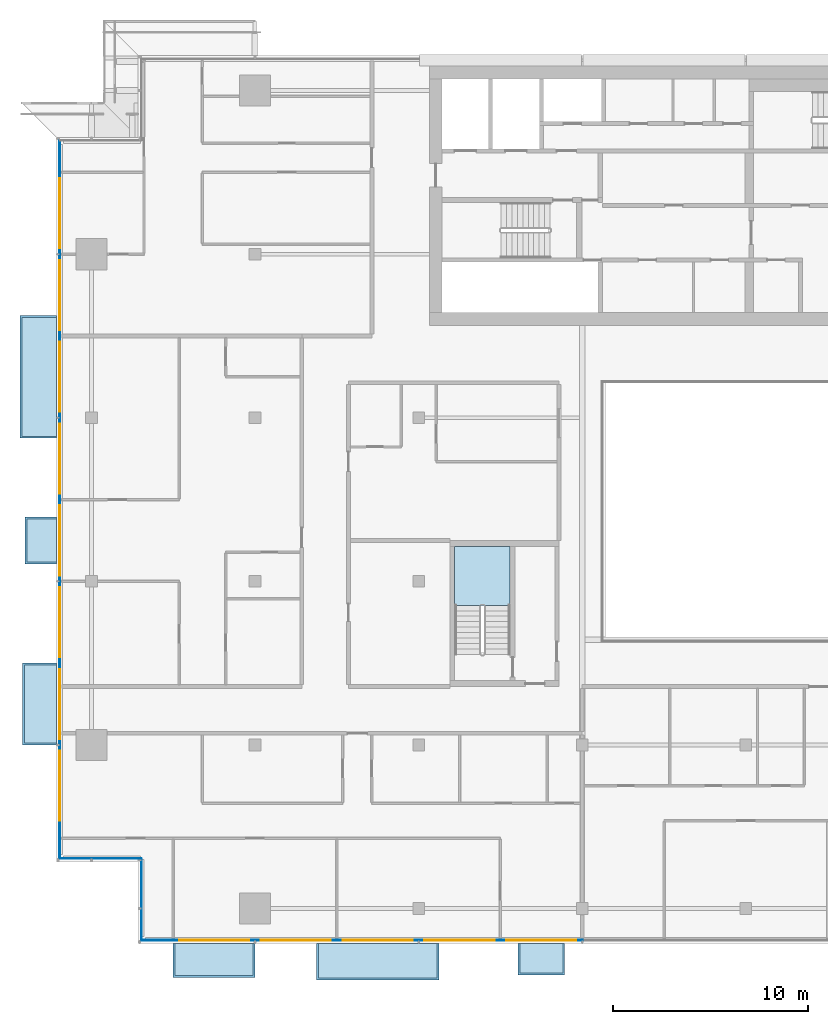
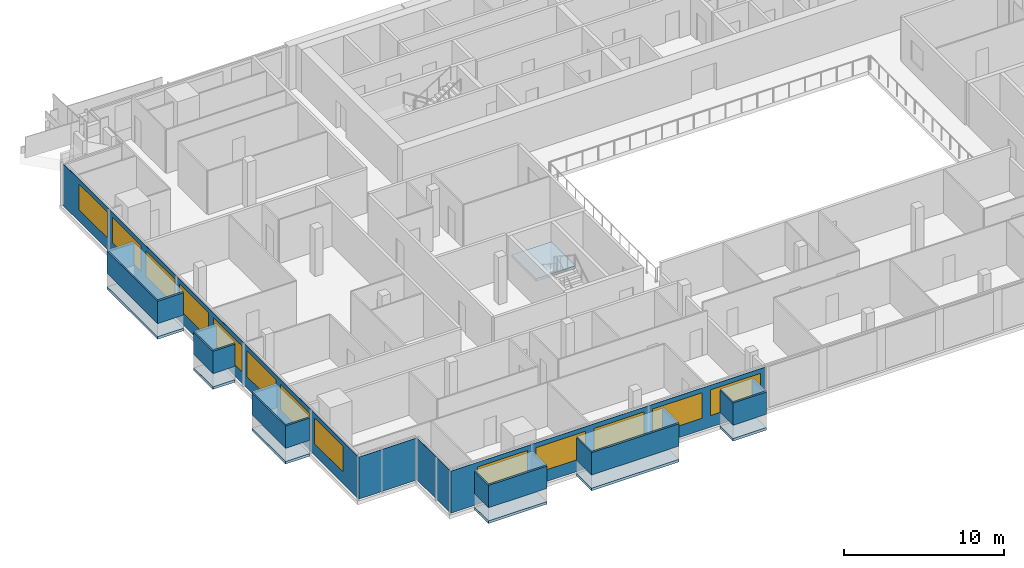
# One storey, part 14 of 30: 16 plates, 13 windows, 7 slabs, 13 openings, 5 elements without a shape of their own.
"""IFC4 building model written with IfcOpenShell, lengths in metres."""

from ifc_helpers import new_model, si_unit, direction, frame, frame_2d, origin, place, context, subcontext, project, spatial, polyline, rectangle, outline, extrude, material, layer, layer_set, type_object, element, fill, aggregate, save


model = new_model("IFC4")

# Units and contexts
model_context = context("Model", 3, precision=1e-05, world=origin(), true_north=direction((0.0, 1.0)))
body_context = subcontext(model_context, "Body", "Model", "MODEL_VIEW")
ifc_project = project(units=[si_unit("LENGTHUNIT", "METRE"), si_unit("AREAUNIT", "SQUARE_METRE"), si_unit("VOLUMEUNIT", "CUBIC_METRE"), si_unit("PLANEANGLEUNIT", "RADIAN"), si_unit("MASSUNIT", "GRAM", prefix="KILO")], contexts=[model_context])

# Site, building, storey
site_placement = place(None, origin())
site = spatial("IfcSite", under=ifc_project, at=site_placement, CompositionType="ELEMENT")
building_placement = place(site_placement, origin())
building = spatial("IfcBuilding", under=site, at=building_placement, Name="Saffron Gate Tower", CompositionType="ELEMENT")
storey_placement = place(building_placement, frame((0.0, 0.0, 216.300048828125)))
storey = spatial("IfcBuildingStorey", under=building, at=storey_placement, Name="L52", CompositionType="ELEMENT", Elevation=216.300048828125)

# Curtain wall, plate, openings, windows
ifc_material_1 = material(Name="Aluminium, bronze anodised", Category="aluminium")
curtain_wall_type_1 = type_object("IfcCurtainWallType", Name="CWS1 curtain wall front facade", PredefinedType="NOTDEFINED", material=ifc_material_1)
curtain_wall_1_placement = place(storey_placement, origin())
curtain_wall_1 = element("IfcCurtainWall", 1, at=curtain_wall_1_placement, inside=storey, type_object=curtain_wall_type_1, Name="CWS1 run 1", PredefinedType="NOTDEFINED")
ifc_material_2 = material(Name="Fritted bronze-tinted laminated glass", Category="glass")
ifc_layer_1 = layer(ifc_material_2, 0.028076171875)
ifc_layer_set_1 = layer_set([ifc_layer_1], Name="CWS1 fixed glass")
plate_type_1 = type_object("IfcPlateType", Name="CWS1 fixed glass", PredefinedType="CURTAIN_PANEL", material=ifc_layer_set_1)
plate_1_placement = place(storey_placement, frame((52.387939453125, 30.174072265625, 0.0), z_axis=(0.0, 0.0, 1.0), x_axis=(1.0, 0.0, 0.0)))
plate_1 = element("IfcPlate", 2, at=plate_1_placement, type_object=plate_type_1, Name="CWS1 glass panel", PredefinedType="CURTAIN_PANEL", context=body_context, shape_type="SweptSolid", body=[
    extrude(rectangle(XDim=22.64208984375, YDim=0.028076171875, at=frame_2d((11.321044921875, 0.0))), origin(), (0.0, 0.0, 1.0), 3.199951171875),
])
opening_1_placement = place(plate_1_placement, frame((1.912109375, 0.0, 0.89990234375)))
opening_1 = element("IfcOpeningElement", 3, at=opening_1_placement, cuts=plate_1, Name="Opening W1", PredefinedType="OPENING", context=body_context, shape_type="SweptSolid", body=[
    extrude(rectangle(XDim=3.60009765625, YDim=1.949951171875, at=frame_2d((1.800048828125, 0.97509765625))), frame((0.0, 0.02392578125, 0.0), z_axis=(0.0, -1.0, 0.0), x_axis=(1.0, 0.0, 0.0)), (0.0, 0.0, 1.0), 0.048095703125),
])
opening_2_placement = place(plate_1_placement, frame((6.112060546875, 0.0, 0.89990234375)))
opening_2 = element("IfcOpeningElement", 4, at=opening_2_placement, cuts=plate_1, Name="Opening W1", PredefinedType="OPENING", context=body_context, shape_type="SweptSolid", body=[
    extrude(rectangle(XDim=3.60009765625, YDim=1.949951171875, at=frame_2d((1.800048828125, 0.97509765625))), frame((0.0, 0.02392578125, 0.0), z_axis=(0.0, -1.0, 0.0), x_axis=(1.0, 0.0, 0.0)), (0.0, 0.0, 1.0), 0.048095703125),
])
opening_3_placement = place(plate_1_placement, frame((10.31201171875, 0.0, 0.89990234375)))
opening_3 = element("IfcOpeningElement", 5, at=opening_3_placement, cuts=plate_1, Name="Opening W1", PredefinedType="OPENING", context=body_context, shape_type="SweptSolid", body=[
    extrude(rectangle(XDim=3.60009765625, YDim=1.949951171875, at=frame_2d((1.800048828125, 0.97509765625))), frame((0.0, 0.02392578125, 0.0), z_axis=(0.0, -1.0, 0.0), x_axis=(1.0, 0.0, 0.0)), (0.0, 0.0, 1.0), 0.048095703125),
])
opening_4_placement = place(plate_1_placement, frame((14.511962890625, 0.0, 0.89990234375)))
opening_4 = element("IfcOpeningElement", 6, at=opening_4_placement, cuts=plate_1, Name="Opening W1", PredefinedType="OPENING", context=body_context, shape_type="SweptSolid", body=[
    extrude(rectangle(XDim=3.60009765625, YDim=1.949951171875, at=frame_2d((1.800048828125, 0.97509765625))), frame((0.0, 0.02392578125, 0.0), z_axis=(0.0, -1.0, 0.0), x_axis=(1.0, 0.0, 0.0)), (0.0, 0.0, 1.0), 0.048095703125),
])
opening_5_placement = place(plate_1_placement, frame((18.7119140625, 0.0, 0.89990234375)))
opening_5 = element("IfcOpeningElement", 7, at=opening_5_placement, cuts=plate_1, Name="Opening W1", PredefinedType="OPENING", context=body_context, shape_type="SweptSolid", body=[
    extrude(rectangle(XDim=3.60009765625, YDim=1.949951171875, at=frame_2d((1.800048828125, 0.97509765625))), frame((0.0, 0.02392578125, 0.0), z_axis=(0.0, -1.0, 0.0), x_axis=(1.0, 0.0, 0.0)), (0.0, 0.0, 1.0), 0.048095703125),
])
ifc_material_3 = material(Name="Fritted bronze-tinted laminated glass in bronze frame", Category="glass")
ifc_layer_2 = layer(ifc_material_3, 0.06005859375)
ifc_layer_set_2 = layer_set([ifc_layer_2], Name="W1 operable panel 3600x1950")
window_type = type_object("IfcWindowType", Name="W1 operable panel 3600x1950", PartitioningType="DOUBLE_PANEL_HORIZONTAL", PredefinedType="WINDOW", material=ifc_layer_set_2)
window_1_placement = place(opening_1_placement, origin())
window_1 = element("IfcWindow", 8, at=window_1_placement, type_object=window_type, Name="W1 operable panel", OverallHeight=1.949951171875, OverallWidth=3.60009765625, PartitioningType="SINGLE_PANEL", PredefinedType="WINDOW", context=body_context, shape_type="SweptSolid", body=[
    extrude(rectangle(XDim=3.60009765625, YDim=1.949951171875, at=frame_2d((1.800048828125, 0.97509765625))), frame((0.0, 0.013671875, 0.0), z_axis=(0.0, -1.0, 0.0), x_axis=(1.0, 0.0, 0.0)), (0.0, 0.0, 1.0), 0.027587890625),
])
fill(opening_1, window_1)
window_2_placement = place(opening_2_placement, origin())
window_2 = element("IfcWindow", 9, at=window_2_placement, type_object=window_type, Name="W1 operable panel", OverallHeight=1.949951171875, OverallWidth=3.60009765625, PartitioningType="SINGLE_PANEL", PredefinedType="WINDOW", context=body_context, shape_type="SweptSolid", body=[
    extrude(rectangle(XDim=3.60009765625, YDim=1.949951171875, at=frame_2d((1.800048828125, 0.97509765625))), frame((0.0, 0.013671875, 0.0), z_axis=(0.0, -1.0, 0.0), x_axis=(1.0, 0.0, 0.0)), (0.0, 0.0, 1.0), 0.027587890625),
])
fill(opening_2, window_2)
window_3_placement = place(opening_3_placement, origin())
window_3 = element("IfcWindow", 10, at=window_3_placement, type_object=window_type, Name="W1 operable panel", OverallHeight=1.949951171875, OverallWidth=3.60009765625, PartitioningType="SINGLE_PANEL", PredefinedType="WINDOW", context=body_context, shape_type="SweptSolid", body=[
    extrude(rectangle(XDim=3.60009765625, YDim=1.949951171875, at=frame_2d((1.800048828125, 0.97509765625))), frame((0.0, 0.013671875, 0.0), z_axis=(0.0, -1.0, 0.0), x_axis=(1.0, 0.0, 0.0)), (0.0, 0.0, 1.0), 0.027587890625),
])
fill(opening_3, window_3)
window_4_placement = place(opening_4_placement, origin())
window_4 = element("IfcWindow", 11, at=window_4_placement, type_object=window_type, Name="W1 operable panel", OverallHeight=1.949951171875, OverallWidth=3.60009765625, PartitioningType="SINGLE_PANEL", PredefinedType="WINDOW", context=body_context, shape_type="SweptSolid", body=[
    extrude(rectangle(XDim=3.60009765625, YDim=1.949951171875, at=frame_2d((1.800048828125, 0.97509765625))), frame((0.0, 0.013671875, 0.0), z_axis=(0.0, -1.0, 0.0), x_axis=(1.0, 0.0, 0.0)), (0.0, 0.0, 1.0), 0.027587890625),
])
fill(opening_4, window_4)
window_5_placement = place(opening_5_placement, origin())
window_5 = element("IfcWindow", 12, at=window_5_placement, type_object=window_type, Name="W1 operable panel", OverallHeight=1.949951171875, OverallWidth=3.60009765625, PartitioningType="SINGLE_PANEL", PredefinedType="WINDOW", context=body_context, shape_type="SweptSolid", body=[
    extrude(rectangle(XDim=3.60009765625, YDim=1.949951171875, at=frame_2d((1.800048828125, 0.97509765625))), frame((0.0, 0.013671875, 0.0), z_axis=(0.0, -1.0, 0.0), x_axis=(1.0, 0.0, 0.0)), (0.0, 0.0, 1.0), 0.027587890625),
])
fill(opening_5, window_5)
aggregate(curtain_wall_1, [plate_1, window_1, window_2, window_3, window_4, window_5])

curtain_wall_type_2 = type_object("IfcCurtainWallType", Name="CWS2 curtain wall side facades", PredefinedType="NOTDEFINED", material=ifc_material_1)
curtain_wall_2_placement = place(storey_placement, origin())
curtain_wall_2 = element("IfcCurtainWall", 13, at=curtain_wall_2_placement, inside=storey, type_object=curtain_wall_type_2, Name="CWS2 run 10", PredefinedType="NOTDEFINED")
ifc_layer_3 = layer(ifc_material_2, 0.028076171875)
ifc_layer_set_3 = layer_set([ifc_layer_3], Name="CWS2 fixed glass")
plate_type_2 = type_object("IfcPlateType", Name="CWS2 fixed glass", PredefinedType="CURTAIN_PANEL", material=ifc_layer_set_3)
plate_2_placement = place(storey_placement, frame((48.174072265625, 71.2119140625, 0.0), z_axis=(0.0, 0.0, 1.0), x_axis=(0.0, -1.0, 0.0)))
plate_2 = element("IfcPlate", 14, at=plate_2_placement, type_object=plate_type_2, Name="CWS2 glass panel", PredefinedType="CURTAIN_PANEL", context=body_context, shape_type="SweptSolid", body=[
    extrude(rectangle(XDim=36.823974609375, YDim=0.028076171875, at=frame_2d((18.412109375, 0.0))), origin(), (0.0, 0.0, 1.0), 3.199951171875),
])
opening_6_placement = place(plate_2_placement, frame((1.912109375, 0.0, 0.89990234375)))
opening_6 = element("IfcOpeningElement", 15, at=opening_6_placement, cuts=plate_2, Name="Opening W1", PredefinedType="OPENING", context=body_context, shape_type="SweptSolid", body=[
    extrude(rectangle(XDim=3.60009765625, YDim=1.949951171875, at=frame_2d((1.800048828125, 0.97509765625))), frame((0.0, 0.02392578125, 0.0), z_axis=(0.0, -1.0, 0.0), x_axis=(1.0, 0.0, 0.0)), (0.0, 0.0, 1.0), 0.048095703125),
])
opening_7_placement = place(plate_2_placement, frame((6.112060546875, 0.0, 0.89990234375)))
opening_7 = element("IfcOpeningElement", 16, at=opening_7_placement, cuts=plate_2, Name="Opening W1", PredefinedType="OPENING", context=body_context, shape_type="SweptSolid", body=[
    extrude(rectangle(XDim=3.60009765625, YDim=1.949951171875, at=frame_2d((1.800048828125, 0.97509765625))), frame((0.0, 0.02392578125, 0.0), z_axis=(0.0, -1.0, 0.0), x_axis=(1.0, 0.0, 0.0)), (0.0, 0.0, 1.0), 0.048095703125),
])
opening_8_placement = place(plate_2_placement, frame((10.31201171875, 0.0, 0.89990234375)))
opening_8 = element("IfcOpeningElement", 17, at=opening_8_placement, cuts=plate_2, Name="Opening W1", PredefinedType="OPENING", context=body_context, shape_type="SweptSolid", body=[
    extrude(rectangle(XDim=3.60009765625, YDim=1.949951171875, at=frame_2d((1.800048828125, 0.97509765625))), frame((0.0, 0.02392578125, 0.0), z_axis=(0.0, -1.0, 0.0), x_axis=(1.0, 0.0, 0.0)), (0.0, 0.0, 1.0), 0.048095703125),
])
opening_9_placement = place(plate_2_placement, frame((14.511962890625, 0.0, 0.89990234375)))
opening_9 = element("IfcOpeningElement", 18, at=opening_9_placement, cuts=plate_2, Name="Opening W1", PredefinedType="OPENING", context=body_context, shape_type="SweptSolid", body=[
    extrude(rectangle(XDim=3.60009765625, YDim=1.949951171875, at=frame_2d((1.800048828125, 0.97509765625))), frame((0.0, 0.02392578125, 0.0), z_axis=(0.0, -1.0, 0.0), x_axis=(1.0, 0.0, 0.0)), (0.0, 0.0, 1.0), 0.048095703125),
])
opening_10_placement = place(plate_2_placement, frame((18.7119140625, 0.0, 0.89990234375)))
opening_10 = element("IfcOpeningElement", 19, at=opening_10_placement, cuts=plate_2, Name="Opening W1", PredefinedType="OPENING", context=body_context, shape_type="SweptSolid", body=[
    extrude(rectangle(XDim=3.60009765625, YDim=1.949951171875, at=frame_2d((1.800048828125, 0.97509765625))), frame((0.0, 0.02392578125, 0.0), z_axis=(0.0, -1.0, 0.0), x_axis=(1.0, 0.0, 0.0)), (0.0, 0.0, 1.0), 0.048095703125),
])
opening_11_placement = place(plate_2_placement, frame((22.912109375, 0.0, 0.89990234375)))
opening_11 = element("IfcOpeningElement", 20, at=opening_11_placement, cuts=plate_2, Name="Opening W1", PredefinedType="OPENING", context=body_context, shape_type="SweptSolid", body=[
    extrude(rectangle(XDim=3.60009765625, YDim=1.949951171875, at=frame_2d((1.800048828125, 0.97509765625))), frame((0.0, 0.02392578125, 0.0), z_axis=(0.0, -1.0, 0.0), x_axis=(1.0, 0.0, 0.0)), (0.0, 0.0, 1.0), 0.048095703125),
])
opening_12_placement = place(plate_2_placement, frame((27.112060546875, 0.0, 0.89990234375)))
opening_12 = element("IfcOpeningElement", 21, at=opening_12_placement, cuts=plate_2, Name="Opening W1", PredefinedType="OPENING", context=body_context, shape_type="SweptSolid", body=[
    extrude(rectangle(XDim=3.60009765625, YDim=1.949951171875, at=frame_2d((1.800048828125, 0.97509765625))), frame((0.0, 0.02392578125, 0.0), z_axis=(0.0, -1.0, 0.0), x_axis=(1.0, 0.0, 0.0)), (0.0, 0.0, 1.0), 0.048095703125),
])
opening_13_placement = place(plate_2_placement, frame((31.31201171875, 0.0, 0.89990234375)))
opening_13 = element("IfcOpeningElement", 22, at=opening_13_placement, cuts=plate_2, Name="Opening W1", PredefinedType="OPENING", context=body_context, shape_type="SweptSolid", body=[
    extrude(rectangle(XDim=3.60009765625, YDim=1.949951171875, at=frame_2d((1.800048828125, 0.97509765625))), frame((0.0, 0.02392578125, 0.0), z_axis=(0.0, -1.0, 0.0), x_axis=(1.0, 0.0, 0.0)), (0.0, 0.0, 1.0), 0.048095703125),
])
window_6_placement = place(opening_6_placement, origin())
window_6 = element("IfcWindow", 23, at=window_6_placement, type_object=window_type, Name="W1 operable panel", OverallHeight=1.949951171875, OverallWidth=3.60009765625, PartitioningType="SINGLE_PANEL", PredefinedType="WINDOW", context=body_context, shape_type="SweptSolid", body=[
    extrude(rectangle(XDim=3.60009765625, YDim=1.949951171875, at=frame_2d((1.800048828125, 0.97509765625))), frame((0.0, 0.013671875, 0.0), z_axis=(0.0, -1.0, 0.0), x_axis=(1.0, 0.0, 0.0)), (0.0, 0.0, 1.0), 0.027587890625),
])
fill(opening_6, window_6)
window_7_placement = place(opening_7_placement, origin())
window_7 = element("IfcWindow", 24, at=window_7_placement, type_object=window_type, Name="W1 operable panel", OverallHeight=1.949951171875, OverallWidth=3.60009765625, PartitioningType="SINGLE_PANEL", PredefinedType="WINDOW", context=body_context, shape_type="SweptSolid", body=[
    extrude(rectangle(XDim=3.60009765625, YDim=1.949951171875, at=frame_2d((1.800048828125, 0.97509765625))), frame((0.0, 0.013671875, 0.0), z_axis=(0.0, -1.0, 0.0), x_axis=(1.0, 0.0, 0.0)), (0.0, 0.0, 1.0), 0.027587890625),
])
fill(opening_7, window_7)
window_8_placement = place(opening_8_placement, origin())
window_8 = element("IfcWindow", 25, at=window_8_placement, type_object=window_type, Name="W1 operable panel", OverallHeight=1.949951171875, OverallWidth=3.60009765625, PartitioningType="SINGLE_PANEL", PredefinedType="WINDOW", context=body_context, shape_type="SweptSolid", body=[
    extrude(rectangle(XDim=3.60009765625, YDim=1.949951171875, at=frame_2d((1.800048828125, 0.97509765625))), frame((0.0, 0.013671875, 0.0), z_axis=(0.0, -1.0, 0.0), x_axis=(1.0, 0.0, 0.0)), (0.0, 0.0, 1.0), 0.027587890625),
])
fill(opening_8, window_8)
window_9_placement = place(opening_9_placement, origin())
window_9 = element("IfcWindow", 26, at=window_9_placement, type_object=window_type, Name="W1 operable panel", OverallHeight=1.949951171875, OverallWidth=3.60009765625, PartitioningType="SINGLE_PANEL", PredefinedType="WINDOW", context=body_context, shape_type="SweptSolid", body=[
    extrude(rectangle(XDim=3.60009765625, YDim=1.949951171875, at=frame_2d((1.800048828125, 0.97509765625))), frame((0.0, 0.013671875, 0.0), z_axis=(0.0, -1.0, 0.0), x_axis=(1.0, 0.0, 0.0)), (0.0, 0.0, 1.0), 0.027587890625),
])
fill(opening_9, window_9)
window_10_placement = place(opening_10_placement, origin())
window_10 = element("IfcWindow", 27, at=window_10_placement, type_object=window_type, Name="W1 operable panel", OverallHeight=1.949951171875, OverallWidth=3.60009765625, PartitioningType="SINGLE_PANEL", PredefinedType="WINDOW", context=body_context, shape_type="SweptSolid", body=[
    extrude(rectangle(XDim=3.60009765625, YDim=1.949951171875, at=frame_2d((1.800048828125, 0.97509765625))), frame((0.0, 0.013671875, 0.0), z_axis=(0.0, -1.0, 0.0), x_axis=(1.0, 0.0, 0.0)), (0.0, 0.0, 1.0), 0.027587890625),
])
fill(opening_10, window_10)
window_11_placement = place(opening_11_placement, origin())
window_11 = element("IfcWindow", 28, at=window_11_placement, type_object=window_type, Name="W1 operable panel", OverallHeight=1.949951171875, OverallWidth=3.60009765625, PartitioningType="SINGLE_PANEL", PredefinedType="WINDOW", context=body_context, shape_type="SweptSolid", body=[
    extrude(rectangle(XDim=3.60009765625, YDim=1.949951171875, at=frame_2d((1.800048828125, 0.97509765625))), frame((0.0, 0.013671875, 0.0), z_axis=(0.0, -1.0, 0.0), x_axis=(1.0, 0.0, 0.0)), (0.0, 0.0, 1.0), 0.027587890625),
])
fill(opening_11, window_11)
window_12_placement = place(opening_12_placement, origin())
window_12 = element("IfcWindow", 29, at=window_12_placement, type_object=window_type, Name="W1 operable panel", OverallHeight=1.949951171875, OverallWidth=3.60009765625, PartitioningType="SINGLE_PANEL", PredefinedType="WINDOW", context=body_context, shape_type="SweptSolid", body=[
    extrude(rectangle(XDim=3.60009765625, YDim=1.949951171875, at=frame_2d((1.800048828125, 0.97509765625))), frame((0.0, 0.013671875, 0.0), z_axis=(0.0, -1.0, 0.0), x_axis=(1.0, 0.0, 0.0)), (0.0, 0.0, 1.0), 0.027587890625),
])
fill(opening_12, window_12)
window_13_placement = place(opening_13_placement, origin())
window_13 = element("IfcWindow", 30, at=window_13_placement, type_object=window_type, Name="W1 operable panel", OverallHeight=1.949951171875, OverallWidth=3.60009765625, PartitioningType="SINGLE_PANEL", PredefinedType="WINDOW", context=body_context, shape_type="SweptSolid", body=[
    extrude(rectangle(XDim=3.60009765625, YDim=1.949951171875, at=frame_2d((1.800048828125, 0.97509765625))), frame((0.0, 0.013671875, 0.0), z_axis=(0.0, -1.0, 0.0), x_axis=(1.0, 0.0, 0.0)), (0.0, 0.0, 1.0), 0.027587890625),
])
fill(opening_13, window_13)
aggregate(curtain_wall_2, [plate_2, window_6, window_7, window_8, window_9, window_10, window_11, window_12, window_13])

# Curtain wall, plate
curtain_wall_type_3 = type_object("IfcCurtainWallType", Name="CWS4 curtain wall corner returns", PredefinedType="NOTDEFINED", material=ifc_material_1)
curtain_wall_3_placement = place(storey_placement, origin())
curtain_wall_3 = element("IfcCurtainWall", 31, at=curtain_wall_3_placement, inside=storey, type_object=curtain_wall_type_3, Name="CWS4 run 11", PredefinedType="NOTDEFINED")
ifc_layer_4 = layer(ifc_material_2, 0.028076171875)
ifc_layer_set_4 = layer_set([ifc_layer_4], Name="CWS4 fixed glass")
plate_type_3 = type_object("IfcPlateType", Name="CWS4 fixed glass", PredefinedType="CURTAIN_PANEL", material=ifc_layer_set_4)
plate_3_placement = place(storey_placement, frame((48.18798828125, 34.3740234375, 0.0), z_axis=(0.0, 0.0, 1.0), x_axis=(1.0, 0.0, 0.0)))
plate_3 = element("IfcPlate", 32, at=plate_3_placement, type_object=plate_type_3, Name="CWS4 glass panel", PredefinedType="CURTAIN_PANEL", context=body_context, shape_type="SweptSolid", body=[
    extrude(rectangle(XDim=4.172119140625, YDim=0.028076171875, at=frame_2d((2.0859375, 0.0))), origin(), (0.0, 0.0, 1.0), 3.199951171875),
])
aggregate(curtain_wall_3, [plate_3])

curtain_wall_4_placement = place(storey_placement, origin())
curtain_wall_4 = element("IfcCurtainWall", 33, at=curtain_wall_4_placement, inside=storey, type_object=curtain_wall_type_3, Name="CWS4 run 12", PredefinedType="NOTDEFINED")
plate_4_placement = place(storey_placement, frame((52.3740234375, 34.360107421875, 0.0), z_axis=(0.0, 0.0, 1.0), x_axis=(0.0, -1.0, 0.0)))
plate_4 = element("IfcPlate", 34, at=plate_4_placement, type_object=plate_type_3, Name="CWS4 glass panel", PredefinedType="CURTAIN_PANEL", context=body_context, shape_type="SweptSolid", body=[
    extrude(rectangle(XDim=4.172119140625, YDim=0.028076171875, at=frame_2d((2.0859375, 0.0))), origin(), (0.0, 0.0, 1.0), 3.199951171875),
])
aggregate(curtain_wall_4, [plate_4])

# Stair, slab
ifc_material_4 = material(Name="Concrete C40", Category="concrete")
stair_type = type_object("IfcStairType", Name="ST7 Stair 1350 wide, 20 risers of 180", PredefinedType="HALF_TURN_STAIR", material=ifc_material_4)
stair_placement = place(storey_placement, origin())
stair = element("IfcStair", 35, at=stair_placement, inside=storey, type_object=stair_type, Name="L52 Exit stair D", PredefinedType="HALF_TURN_STAIR")
ifc_layer_5 = layer(ifc_material_4, 0.199951171875)
ifc_layer_set_5 = layer_set([ifc_layer_5], Name="SL1 Stair landing 200")
slab_type_1 = type_object("IfcSlabType", Name="SL1 Stair landing 200", PredefinedType="LANDING", material=ifc_layer_set_5)
slab_1_placement = place(storey_placement, frame((0.0, 0.0, 1.599853515625)))
slab_1 = element("IfcSlab", 36, at=slab_1_placement, type_object=slab_type_1, Name="ST-D landing 1", PredefinedType="LANDING", context=body_context, shape_type="SweptSolid", body=[
    extrude(outline(polyline([(71.300048828125, 47.3701171875), (71.300048828125, 50.39990234375), (68.449951171875, 50.39990234375), (68.449951171875, 47.3701171875), (71.300048828125, 47.3701171875)])), origin(), (0.0, 0.0, 1.0), 0.2001953125),
])
aggregate(stair, [slab_1])

# Slabs
ifc_material_5 = material(Name="Timber deck on bronze frame", Category="wood")
ifc_layer_6 = layer(ifc_material_5, 0.199951171875)
ifc_layer_set_6 = layer_set([ifc_layer_6], Name="WB1 box floor")
slab_type_2 = type_object("IfcSlabType", Name="WB1 box floor", PredefinedType="FLOOR", material=ifc_layer_set_6)
slab_2_placement = place(storey_placement, frame((0.0, 0.0, -0.199951171875)))
element("IfcSlab", 37, at=slab_2_placement, inside=storey, type_object=slab_type_2, Name="WINDOW BOX floor", PredefinedType="FLOOR", context=body_context, shape_type="SweptSolid", body=[
    extrude(outline(polyline([(54.0, 30.0), (58.199951171875, 30.0), (58.199951171875, 28.26708984375), (54.0, 28.26708984375), (54.0, 30.0)])), origin(), (0.0, 0.0, 1.0), 0.199951171875),
])
slab_3_placement = place(storey_placement, frame((0.0, 0.0, -0.199951171875)))
element("IfcSlab", 38, at=slab_3_placement, inside=storey, type_object=slab_type_2, Name="WINDOW BOX floor", PredefinedType="FLOOR", context=body_context, shape_type="SweptSolid", body=[
    extrude(outline(polyline([(61.35009765625, 30.0), (67.64990234375, 30.0), (67.64990234375, 28.133056640625), (61.35009765625, 28.133056640625), (61.35009765625, 30.0)])), origin(), (0.0, 0.0, 1.0), 0.199951171875),
])
slab_4_placement = place(storey_placement, frame((0.0, 0.0, -0.199951171875)))
element("IfcSlab", 39, at=slab_4_placement, inside=storey, type_object=slab_type_2, Name="WINDOW BOX floor", PredefinedType="FLOOR", context=body_context, shape_type="SweptSolid", body=[
    extrude(outline(polyline([(71.699951171875, 30.0), (74.10009765625, 30.0), (74.10009765625, 28.39990234375), (71.699951171875, 28.39990234375), (71.699951171875, 30.0)])), origin(), (0.0, 0.0, 1.0), 0.199951171875),
])
slab_5_placement = place(storey_placement, frame((0.0, 0.0, -0.199951171875)))
element("IfcSlab", 40, at=slab_5_placement, inside=storey, type_object=slab_type_2, Name="WINDOW BOX floor", PredefinedType="FLOOR", context=body_context, shape_type="SweptSolid", body=[
    extrude(outline(polyline([(48.0, 62.25), (48.0, 55.949951171875), (46.133056640625, 55.949951171875), (46.133056640625, 62.25), (48.0, 62.25)])), origin(), (0.0, 0.0, 1.0), 0.199951171875),
])
slab_6_placement = place(storey_placement, frame((0.0, 0.0, -0.199951171875)))
element("IfcSlab", 41, at=slab_6_placement, inside=storey, type_object=slab_type_2, Name="WINDOW BOX floor", PredefinedType="FLOOR", context=body_context, shape_type="SweptSolid", body=[
    extrude(outline(polyline([(48.0, 51.89990234375), (48.0, 49.5), (46.39990234375, 49.5), (46.39990234375, 51.89990234375), (48.0, 51.89990234375)])), origin(), (0.0, 0.0, 1.0), 0.199951171875),
])
slab_7_placement = place(storey_placement, frame((0.0, 0.0, -0.199951171875)))
element("IfcSlab", 42, at=slab_7_placement, inside=storey, type_object=slab_type_2, Name="WINDOW BOX floor", PredefinedType="FLOOR", context=body_context, shape_type="SweptSolid", body=[
    extrude(outline(polyline([(48.0, 44.39990234375), (48.0, 40.199951171875), (46.26708984375, 40.199951171875), (46.26708984375, 44.39990234375), (48.0, 44.39990234375)])), origin(), (0.0, 0.0, 1.0), 0.199951171875),
])

# Plates
ifc_layer_7 = layer(ifc_material_1, 0.1201171875)
ifc_layer_set_7 = layer_set([ifc_layer_7], Name="WB2 box roof")
plate_type_4 = type_object("IfcPlateType", Name="WB2 box roof", PredefinedType="SHEET", material=ifc_layer_set_7)
plate_5_placement = place(storey_placement, frame((0.0, 0.0, 2.699951171875)))
element("IfcPlate", 43, at=plate_5_placement, inside=storey, type_object=plate_type_4, Name="WINDOW BOX roof", PredefinedType="SHEET", context=body_context, shape_type="SweptSolid", body=[
    extrude(outline(polyline([(54.0, 30.0), (58.199951171875, 30.0), (58.199951171875, 28.26708984375), (54.0, 28.26708984375), (54.0, 30.0)])), origin(), (0.0, 0.0, 1.0), 0.1201171875),
])
plate_6_placement = place(storey_placement, frame((0.0, 0.0, 2.699951171875)))
element("IfcPlate", 44, at=plate_6_placement, inside=storey, type_object=plate_type_4, Name="WINDOW BOX roof", PredefinedType="SHEET", context=body_context, shape_type="SweptSolid", body=[
    extrude(outline(polyline([(61.35009765625, 30.0), (67.64990234375, 30.0), (67.64990234375, 28.133056640625), (61.35009765625, 28.133056640625), (61.35009765625, 30.0)])), origin(), (0.0, 0.0, 1.0), 0.1201171875),
])
plate_7_placement = place(storey_placement, frame((0.0, 0.0, 2.699951171875)))
element("IfcPlate", 45, at=plate_7_placement, inside=storey, type_object=plate_type_4, Name="WINDOW BOX roof", PredefinedType="SHEET", context=body_context, shape_type="SweptSolid", body=[
    extrude(outline(polyline([(71.699951171875, 30.0), (74.10009765625, 30.0), (74.10009765625, 28.39990234375), (71.699951171875, 28.39990234375), (71.699951171875, 30.0)])), origin(), (0.0, 0.0, 1.0), 0.1201171875),
])
plate_8_placement = place(storey_placement, frame((0.0, 0.0, 2.699951171875)))
element("IfcPlate", 46, at=plate_8_placement, inside=storey, type_object=plate_type_4, Name="WINDOW BOX roof", PredefinedType="SHEET", context=body_context, shape_type="SweptSolid", body=[
    extrude(outline(polyline([(48.0, 62.25), (48.0, 55.949951171875), (46.133056640625, 55.949951171875), (46.133056640625, 62.25), (48.0, 62.25)])), origin(), (0.0, 0.0, 1.0), 0.1201171875),
])
plate_9_placement = place(storey_placement, frame((0.0, 0.0, 2.699951171875)))
element("IfcPlate", 47, at=plate_9_placement, inside=storey, type_object=plate_type_4, Name="WINDOW BOX roof", PredefinedType="SHEET", context=body_context, shape_type="SweptSolid", body=[
    extrude(outline(polyline([(48.0, 51.89990234375), (48.0, 49.5), (46.39990234375, 49.5), (46.39990234375, 51.89990234375), (48.0, 51.89990234375)])), origin(), (0.0, 0.0, 1.0), 0.1201171875),
])
plate_10_placement = place(storey_placement, frame((0.0, 0.0, 2.699951171875)))
element("IfcPlate", 48, at=plate_10_placement, inside=storey, type_object=plate_type_4, Name="WINDOW BOX roof", PredefinedType="SHEET", context=body_context, shape_type="SweptSolid", body=[
    extrude(outline(polyline([(48.0, 44.39990234375), (48.0, 40.199951171875), (46.26708984375, 40.199951171875), (46.26708984375, 44.39990234375), (48.0, 44.39990234375)])), origin(), (0.0, 0.0, 1.0), 0.1201171875),
])
ifc_material_6 = material(Name="Clear low-iron laminated glass", Category="glass")
ifc_layer_8 = layer(ifc_material_6, 0.10009765625)
ifc_layer_set_8 = layer_set([ifc_layer_8], Name="WB6 box glazing")
plate_type_5 = type_object("IfcPlateType", Name="WB6 box glazing", PredefinedType="SHEET", material=ifc_layer_set_8)
plate_11_placement = place(storey_placement, frame((0.0, 0.0, 1.0)))
element("IfcPlate", 49, at=plate_11_placement, inside=storey, type_object=plate_type_5, Name="WINDOW BOX glazing", PredefinedType="SHEET", context=body_context, shape_type="SweptSolid", body=[
    extrude(outline(polyline([(54.0, 30.0), (54.10009765625, 30.0), (54.10009765625, 28.366943359375), (58.10009765625, 28.366943359375), (58.10009765625, 30.0), (58.199951171875, 30.0), (58.199951171875, 28.26708984375), (54.0, 28.26708984375), (54.0, 30.0)])), origin(), (0.0, 0.0, 1.0), 1.699951171875),
])
plate_12_placement = place(storey_placement, frame((0.0, 0.0, 1.0)))
element("IfcPlate", 50, at=plate_12_placement, inside=storey, type_object=plate_type_5, Name="WINDOW BOX glazing", PredefinedType="SHEET", context=body_context, shape_type="SweptSolid", body=[
    extrude(outline(polyline([(61.35009765625, 30.0), (61.449951171875, 30.0), (61.449951171875, 28.23291015625), (67.550048828125, 28.23291015625), (67.550048828125, 30.0), (67.64990234375, 30.0), (67.64990234375, 28.133056640625), (61.35009765625, 28.133056640625), (61.35009765625, 30.0)])), origin(), (0.0, 0.0, 1.0), 1.699951171875),
])
plate_13_placement = place(storey_placement, frame((0.0, 0.0, 1.0)))
element("IfcPlate", 51, at=plate_13_placement, inside=storey, type_object=plate_type_5, Name="WINDOW BOX glazing", PredefinedType="SHEET", context=body_context, shape_type="SweptSolid", body=[
    extrude(outline(polyline([(71.699951171875, 30.0), (71.800048828125, 30.0), (71.800048828125, 28.5), (74.0, 28.5), (74.0, 30.0), (74.10009765625, 30.0), (74.10009765625, 28.39990234375), (71.699951171875, 28.39990234375), (71.699951171875, 30.0)])), origin(), (0.0, 0.0, 1.0), 1.699951171875),
])
plate_14_placement = place(storey_placement, frame((0.0, 0.0, 1.0)))
element("IfcPlate", 52, at=plate_14_placement, inside=storey, type_object=plate_type_5, Name="WINDOW BOX glazing", PredefinedType="SHEET", context=body_context, shape_type="SweptSolid", body=[
    extrude(outline(polyline([(48.0, 62.25), (48.0, 62.14990234375), (46.23291015625, 62.14990234375), (46.23291015625, 56.050048828125), (48.0, 56.050048828125), (48.0, 55.949951171875), (46.133056640625, 55.949951171875), (46.133056640625, 62.25), (48.0, 62.25)])), origin(), (0.0, 0.0, 1.0), 1.699951171875),
])
plate_15_placement = place(storey_placement, frame((0.0, 0.0, 1.0)))
element("IfcPlate", 53, at=plate_15_placement, inside=storey, type_object=plate_type_5, Name="WINDOW BOX glazing", PredefinedType="SHEET", context=body_context, shape_type="SweptSolid", body=[
    extrude(outline(polyline([(48.0, 51.89990234375), (48.0, 51.800048828125), (46.5, 51.800048828125), (46.5, 49.60009765625), (48.0, 49.60009765625), (48.0, 49.5), (46.39990234375, 49.5), (46.39990234375, 51.89990234375), (48.0, 51.89990234375)])), origin(), (0.0, 0.0, 1.0), 1.699951171875),
])
plate_16_placement = place(storey_placement, frame((0.0, 0.0, 1.0)))
element("IfcPlate", 54, at=plate_16_placement, inside=storey, type_object=plate_type_5, Name="WINDOW BOX glazing", PredefinedType="SHEET", context=body_context, shape_type="SweptSolid", body=[
    extrude(outline(polyline([(48.0, 44.39990234375), (48.0, 44.300048828125), (46.366943359375, 44.300048828125), (46.366943359375, 40.300048828125), (48.0, 40.300048828125), (48.0, 40.199951171875), (46.26708984375, 40.199951171875), (46.26708984375, 44.39990234375), (48.0, 44.39990234375)])), origin(), (0.0, 0.0, 1.0), 1.699951171875),
])

save(model, "model.ifc")
